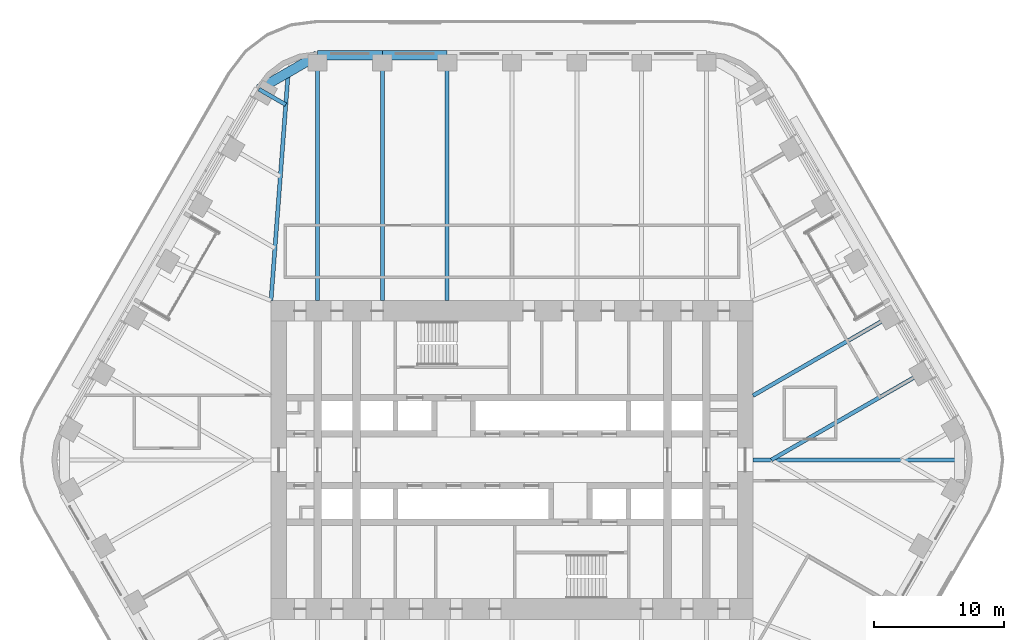
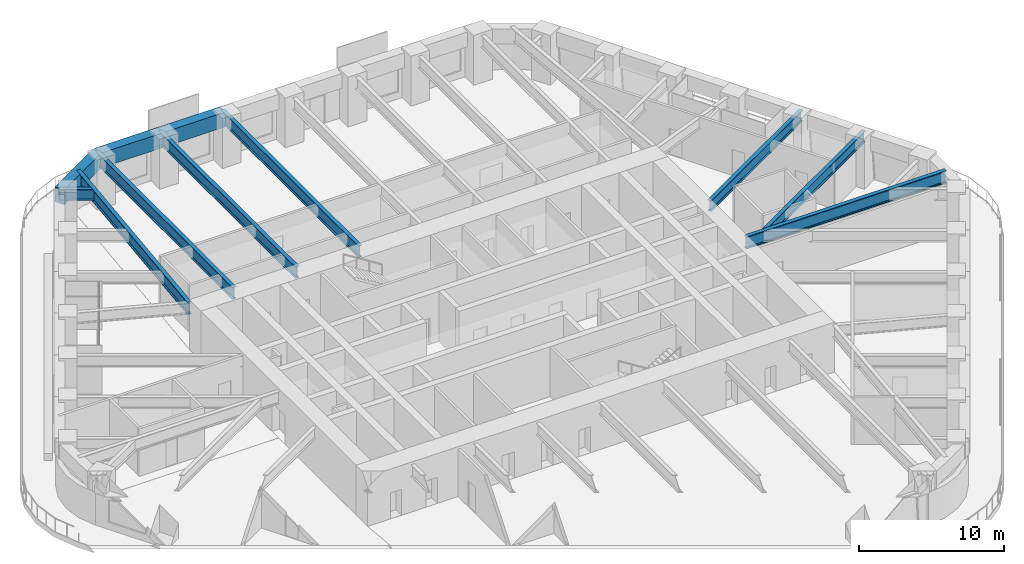
# One storey, part 10 of 24: 11 beams.
"""IFC4 building model written with IfcOpenShell, lengths in metres."""

from ifc_helpers import new_model, si_unit, direction, frame, origin, origin_2d, place, context, subcontext, project, spatial, rectangle, i_section, extrude, material, material_profile, profile_set, type_object, element, save


model = new_model("IFC4")

# Units and contexts
model_context = context("Model", 3, precision=1e-05, world=origin(), true_north=direction((0.0, 1.0)))
body_context = subcontext(model_context, "Body", "Model", "MODEL_VIEW")
ifc_project = project(units=[si_unit("LENGTHUNIT", "METRE"), si_unit("AREAUNIT", "SQUARE_METRE"), si_unit("VOLUMEUNIT", "CUBIC_METRE"), si_unit("PLANEANGLEUNIT", "RADIAN"), si_unit("MASSUNIT", "GRAM", prefix="KILO")], contexts=[model_context])

# Site, building, storey
site_placement = place(None, origin())
site = spatial("IfcSite", under=ifc_project, at=site_placement, CompositionType="ELEMENT")
building_placement = place(site_placement, origin())
building = spatial("IfcBuilding", under=site, at=building_placement, Name="Tarfa Lantern Tower", CompositionType="ELEMENT")
storey_placement = place(building_placement, frame((0.0, 0.0, 186.699951171875)))
storey = spatial("IfcBuildingStorey", under=building, at=storey_placement, Name="L42", CompositionType="ELEMENT", Elevation=186.699951171875)

# Beams
ifc_material_1 = material(Name="Concrete C80/95", Category="concrete")
ifc_material_profile_1 = material_profile(ifc_material_1, rectangle(XDim=0.75, YDim=1.25, at=origin_2d()), Name="RC 750x1250")
ifc_profile_set_1 = profile_set([ifc_material_profile_1], Name="Concrete C80/95")
beam_type_1 = type_object("IfcBeamType", Name="EB2 RC 750x1250", PredefinedType="SPANDREL", material=ifc_profile_set_1)
for number, where, z_axis, x_axis, name in (
    (1, (-5.003662109375, 31.219970703125, 3.375), (-1.0, 0.0, 0.0), (0.0, -1.0, 0.0), "Edge beam N4"),
    (2, (-10.00732421875, 31.219970703125, 3.375), (-1.0, 0.0, 0.0), (0.0, -1.0, 0.0), "Edge beam N5"),
):
    element("IfcBeam", number, at=place(storey_placement, frame(where, z_axis=z_axis, x_axis=x_axis)), inside=storey, type_object=beam_type_1, Name=name, PredefinedType="SPANDREL", context=body_context, shape_type="SweptSolid", body=[
        extrude(rectangle(XDim=0.75, YDim=1.25, at=origin_2d()), origin(), (0.0, 0.0, 1.0), 5.003662109375),
    ])
beam_1_placement = place(storey_placement, frame((-15.010986328125, 31.219970703125, 3.375), z_axis=(-0.86604150238, -0.499972115377, 0.0), x_axis=(0.499972115377, -0.86604150238, 0.0)))
element("IfcBeam", 3, at=beam_1_placement, inside=storey, type_object=beam_type_1, Name="Edge beam N6", PredefinedType="SPANDREL", context=body_context, shape_type="SweptSolid", body=[
    extrude(rectangle(XDim=0.75, YDim=1.25, at=origin_2d()), origin(), (0.0, 0.0, 1.0), 5.219970703125),
])
ifc_material_2 = material(Name="Steel S460M", Category="steel")
ifc_material_profile_2 = material_profile(ifc_material_2, i_section(OverallWidth=0.302001953125, OverallDepth=1.008056640625, WebThickness=0.02099609375, FlangeThickness=0.0400390625, FilletRadius=0.030029296875, at=origin_2d()), Name="UB1016x305x349")
ifc_profile_set_2 = profile_set([ifc_material_profile_2], Name="Steel S460M")
beam_type_2 = type_object("IfcBeamType", Name="UB1016x305x349", PredefinedType="BEAM", material=ifc_profile_set_2)
for number, where, z_axis, x_axis, name in (
    (4, (-5.003662109375, 31.219970703125, 3.49609375), (0.0, -1.0, 0.0), (1.0, 0.0, 0.0), "Floor beam N4"),
    (5, (-10.00732421875, 31.219970703125, 3.49609375), (0.0, -1.0, 0.0), (1.0, 0.0, 0.0), "Floor beam N5"),
    (6, (-15.010986328125, 31.219970703125, 3.49609375), (0.0, -1.0, 0.0), (1.0, 0.0, 0.0), "Floor beam N6"),
):
    element("IfcBeam", number, at=place(storey_placement, frame(where, z_axis=z_axis, x_axis=x_axis)), inside=storey, type_object=beam_type_2, Name=name, PredefinedType="BEAM", context=body_context, shape_type="SweptSolid", body=[
        extrude(i_section(OverallWidth=0.302001953125, OverallDepth=1.008056640625, WebThickness=0.02099609375, FlangeThickness=0.0400390625, FilletRadius=0.030029296875, at=origin_2d()), origin(), (0.0, 0.0, 1.0), 18.919921875),
    ])
ifc_material_profile_3 = material_profile(ifc_material_2, i_section(OverallWidth=0.30859375, OverallDepth=1.036376953125, WebThickness=0.030029296875, FlangeThickness=0.05419921875, FilletRadius=0.030029296875, at=origin_2d()), Name="UB1016x305x487")
ifc_profile_set_3 = profile_set([ifc_material_profile_3], Name="Steel S460M")
beam_type_3 = type_object("IfcBeamType", Name="UB1016x305x487", PredefinedType="BEAM", material=ifc_profile_set_3)
beam_2_placement = place(storey_placement, frame((18.60009765625, 0.0, 3.48193359375), z_axis=(1.0, 0.0, 0.0), x_axis=(0.0, 1.0, 0.0)))
element("IfcBeam", 7, at=beam_2_placement, inside=storey, type_object=beam_type_3, Name="Hip girder E", PredefinedType="BEAM", context=body_context, shape_type="SweptSolid", body=[
    extrude(i_section(OverallWidth=0.30859375, OverallDepth=1.036376953125, WebThickness=0.030029296875, FlangeThickness=0.05419921875, FilletRadius=0.030029296875, at=origin_2d()), origin(), (0.0, 0.0, 1.0), 15.94287109375),
])
beam_3_placement = place(storey_placement, frame((-18.60009765625, 12.300048828125, 3.48193359375), z_axis=(0.075211516041, 0.99716760269, 0.0), x_axis=(-0.99716760269, 0.075211516041, 0.0)))
element("IfcBeam", 8, at=beam_3_placement, inside=storey, type_object=beam_type_3, Name="Hip girder NW", PredefinedType="BEAM", context=body_context, shape_type="SweptSolid", body=[
    extrude(i_section(OverallWidth=0.30859375, OverallDepth=1.036376953125, WebThickness=0.030029296875, FlangeThickness=0.05419921875, FilletRadius=0.030029296875, at=origin_2d()), origin(), (0.0, 0.0, 1.0), 17.6650390625),
])
ifc_material_profile_4 = material_profile(ifc_material_2, i_section(OverallWidth=0.305419921875, OverallDepth=0.91845703125, WebThickness=0.017333984375, FlangeThickness=0.02783203125, FilletRadius=0.01904296875, at=origin_2d()), Name="UB914x305x253")
ifc_profile_set_4 = profile_set([ifc_material_profile_4], Name="Steel S460M")
beam_type_4 = type_object("IfcBeamType", Name="UB914x305x253", PredefinedType="BEAM", material=ifc_profile_set_4)
beam_4_placement = place(storey_placement, frame((32.041015625, 6.943359375, 3.540771484375), z_axis=(-0.866023096411, -0.500003996466, 0.0), x_axis=(0.500003996466, -0.866023096411, 0.0)))
element("IfcBeam", 9, at=beam_4_placement, inside=storey, type_object=beam_type_4, Name="Floor beam NE1", PredefinedType="BEAM", context=body_context, shape_type="SweptSolid", body=[
    extrude(i_section(OverallWidth=0.305419921875, OverallDepth=0.91845703125, WebThickness=0.017333984375, FlangeThickness=0.02783203125, FilletRadius=0.01904296875, at=origin_2d()), origin(), (0.0, 0.0, 1.0), 13.88671875),
])
beam_5_placement = place(storey_placement, frame((29.5390625, 11.276611328125, 3.540771484375), z_axis=(-0.866023362995, -0.500003534735, 0.0), x_axis=(0.500003534735, -0.866023362995, 0.0)))
element("IfcBeam", 10, at=beam_5_placement, inside=storey, type_object=beam_type_4, Name="Floor beam NE2", PredefinedType="BEAM", context=body_context, shape_type="SweptSolid", body=[
    extrude(i_section(OverallWidth=0.305419921875, OverallDepth=0.91845703125, WebThickness=0.017333984375, FlangeThickness=0.02783203125, FilletRadius=0.01904296875, at=origin_2d()), origin(), (0.0, 0.0, 1.0), 12.63134765625),
])
beam_6_placement = place(storey_placement, frame((-19.53173828125, 28.610107421875, 3.540771484375), z_axis=(0.865998640954, -0.500046351717, 0.0), x_axis=(0.500046351717, 0.865998640954, 0.0)))
element("IfcBeam", 11, at=beam_6_placement, inside=storey, type_object=beam_type_4, Name="Floor beam NW0", PredefinedType="BEAM", context=body_context, shape_type="SweptSolid", body=[
    extrude(i_section(OverallWidth=0.305419921875, OverallDepth=0.91845703125, WebThickness=0.017333984375, FlangeThickness=0.02783203125, FilletRadius=0.01904296875, at=origin_2d()), origin(), (0.0, 0.0, 1.0), 2.392333984375),
])

save(model, "model.ifc")
